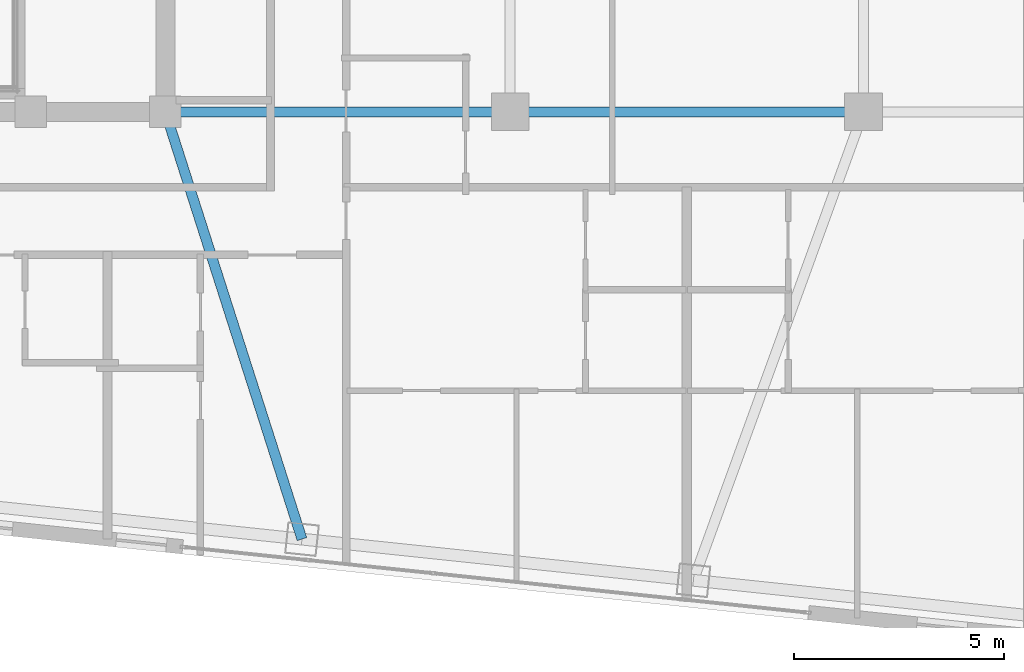
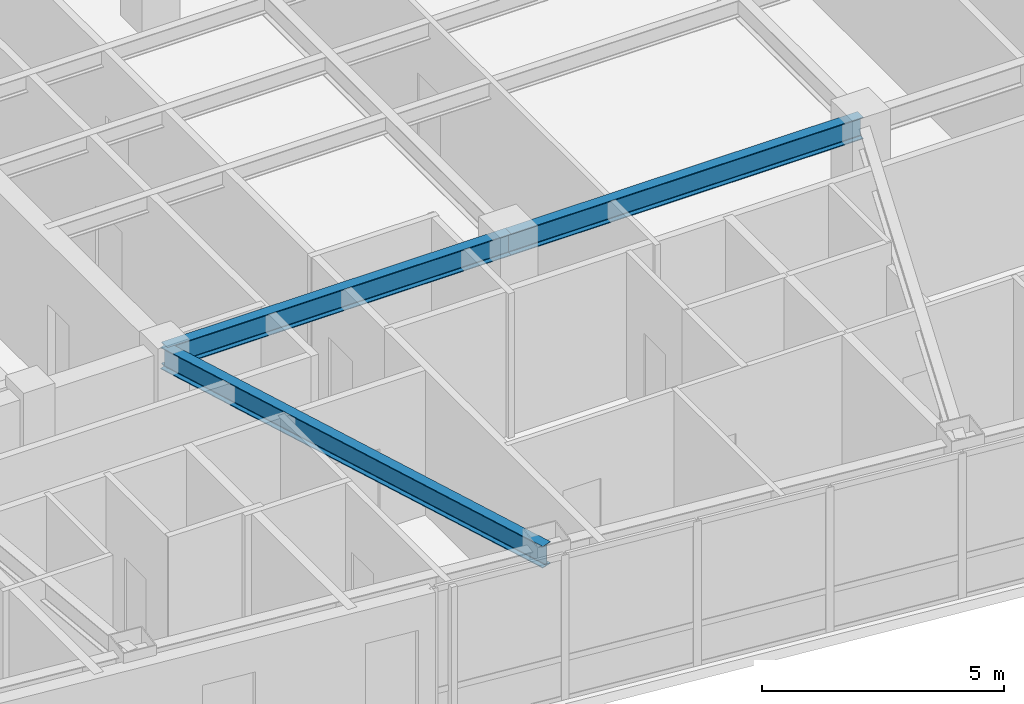
# One storey, part 3 of 23: 3 beams.
"""IFC4 building model written with IfcOpenShell, lengths in metres."""

from ifc_helpers import new_model, si_unit, direction, frame, origin, origin_2d, place, context, subcontext, project, spatial, i_section, extrude, material, material_profile, profile_set, type_object, element, save


model = new_model("IFC4")

# Units and contexts
model_context = context("Model", 3, precision=1e-05, world=origin(), true_north=direction((0.0, 1.0)))
body_context = subcontext(model_context, "Body", "Model", "MODEL_VIEW")
ifc_project = project(units=[si_unit("LENGTHUNIT", "METRE"), si_unit("AREAUNIT", "SQUARE_METRE"), si_unit("VOLUMEUNIT", "CUBIC_METRE"), si_unit("PLANEANGLEUNIT", "RADIAN"), si_unit("MASSUNIT", "GRAM", prefix="KILO")], contexts=[model_context])

# Site, building, storey
site_placement = place(None, origin())
site = spatial("IfcSite", under=ifc_project, at=site_placement, CompositionType="ELEMENT")
building_placement = place(site_placement, origin())
building = spatial("IfcBuilding", under=site, at=building_placement, Name="Voryun Gate Residences", CompositionType="ELEMENT")
storey_placement = place(building_placement, frame((0.0, 0.0, 275.60009765625)))
storey = spatial("IfcBuildingStorey", under=building, at=storey_placement, Name="L68", CompositionType="ELEMENT", Elevation=275.60009765625)

# Beams
ifc_material = material(Name="Steel SM355", Category="steel")
ifc_material_profile = material_profile(ifc_material, i_section(OverallWidth=0.239990234375, OverallDepth=0.550048828125, WebThickness=0.011962890625, FlangeThickness=0.02001953125, FilletRadius=0.01806640625, at=origin_2d()), Name="H-550x240x12x20")
ifc_profile_set = profile_set([ifc_material_profile], Name="Steel SM355")
beam_type = type_object("IfcBeamType", Name="BM_GIRD_550", PredefinedType="USERDEFINED", material=ifc_profile_set)
beam_1_placement = place(storey_placement, frame((-12.39990234375, -7.39990234375, 3.375), z_axis=(1.0, 0.0, 0.0), x_axis=(0.0, 1.0, 0.0)))
element("IfcBeam", 1, at=beam_1_placement, inside=storey, type_object=beam_type, Name="BM-L68-SPG1-S", ObjectType="GIRDER", PredefinedType="USERDEFINED", context=body_context, shape_type="SweptSolid", body=[
    extrude(i_section(OverallWidth=0.239990234375, OverallDepth=0.550048828125, WebThickness=0.011962890625, FlangeThickness=0.02001953125, FilletRadius=0.01806640625, at=origin_2d()), origin(), (0.0, 0.0, 1.0), 8.199951171875),
])
beam_2_placement = place(storey_placement, frame((-4.199951171875, -7.39990234375, 3.375), z_axis=(1.0, 0.0, 0.0), x_axis=(0.0, 1.0, 0.0)))
element("IfcBeam", 2, at=beam_2_placement, inside=storey, type_object=beam_type, Name="BM-L68-SPG2-S", ObjectType="GIRDER", PredefinedType="USERDEFINED", context=body_context, shape_type="SweptSolid", body=[
    extrude(i_section(OverallWidth=0.239990234375, OverallDepth=0.550048828125, WebThickness=0.011962890625, FlangeThickness=0.02001953125, FilletRadius=0.01806640625, at=origin_2d()), origin(), (0.0, 0.0, 1.0), 8.39990234375),
])
beam_3_placement = place(storey_placement, frame((-12.39990234375, -7.39990234375, 3.375), z_axis=(0.30449089095, -0.952515247819, 0.0), x_axis=(0.952515247819, 0.30449089095, 0.0)))
element("IfcBeam", 3, at=beam_3_placement, inside=storey, type_object=beam_type, Name="BM-L68-RAD-S3", ObjectType="GIRDER", PredefinedType="USERDEFINED", context=body_context, shape_type="SweptSolid", body=[
    extrude(i_section(OverallWidth=0.239990234375, OverallDepth=0.550048828125, WebThickness=0.011962890625, FlangeThickness=0.02001953125, FilletRadius=0.01806640625, at=origin_2d()), origin(), (0.0, 0.0, 1.0), 10.66796875),
])

save(model, "model.ifc")
